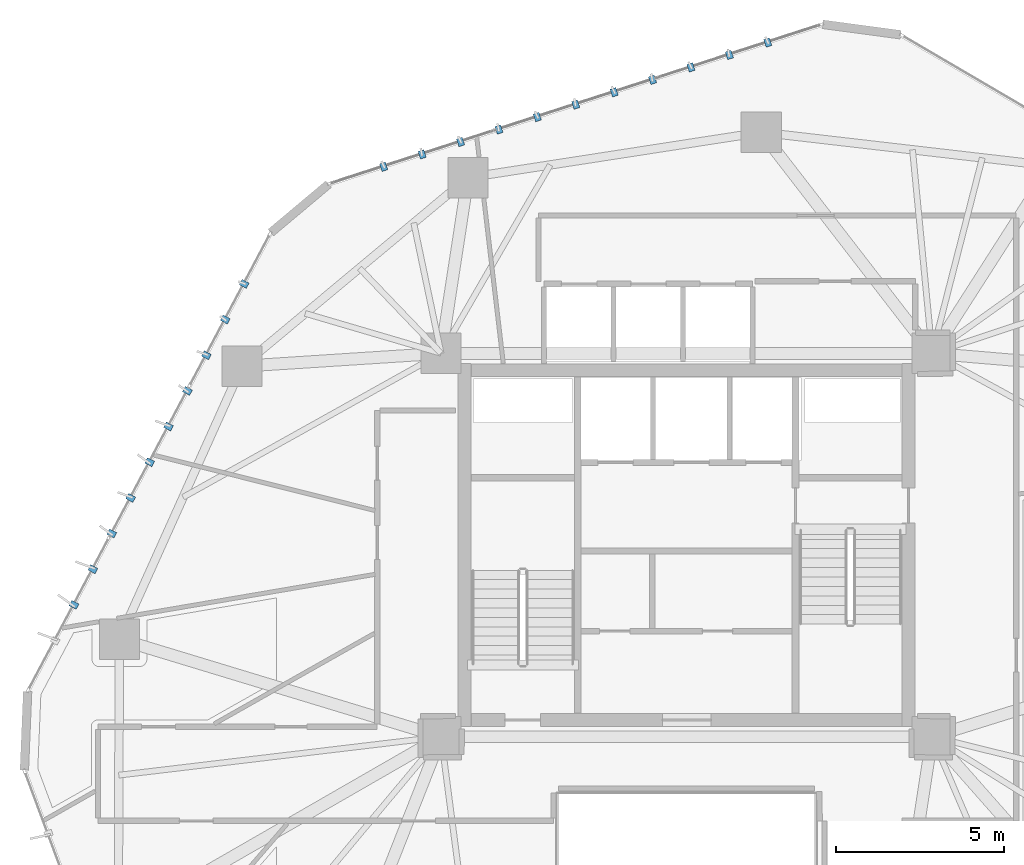
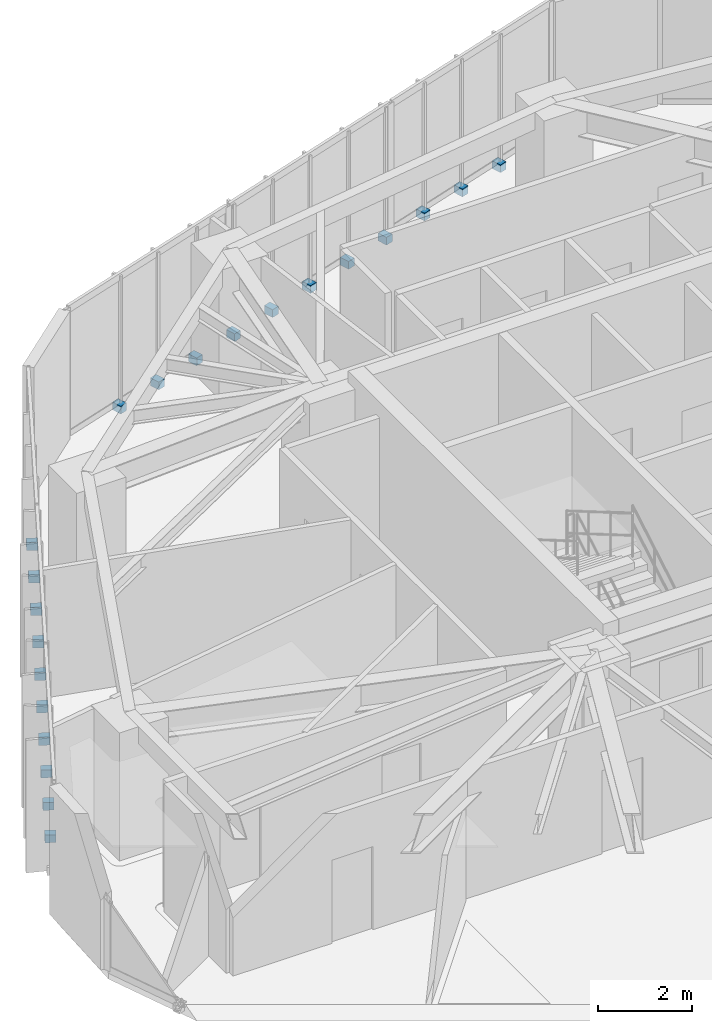
# One storey, part 18 of 21: 21 discrete accessories.
"""IFC4 building model written with IfcOpenShell, lengths in metres."""

from ifc_helpers import new_model, si_unit, direction, frame, origin, origin_2d, place, context, subcontext, project, spatial, rectangle, extrude, source, transform, mapped, material, type_object, type_shapes, element, save


model = new_model("IFC4")

# Units and contexts
model_context = context("Model", 3, precision=1e-05, world=origin(), true_north=direction((0.0, 1.0)))
body_context = subcontext(model_context, "Body", "Model", "MODEL_VIEW")
ifc_project = project(units=[si_unit("LENGTHUNIT", "METRE"), si_unit("AREAUNIT", "SQUARE_METRE"), si_unit("VOLUMEUNIT", "CUBIC_METRE"), si_unit("PLANEANGLEUNIT", "RADIAN"), si_unit("MASSUNIT", "GRAM", prefix="KILO")], contexts=[model_context])

# Site, building, storey
site_placement = place(None, origin())
site = spatial("IfcSite", under=ifc_project, at=site_placement, CompositionType="ELEMENT")
building_placement = place(site_placement, origin())
building = spatial("IfcBuilding", under=site, at=building_placement, Name="Talar Marvaseh", CompositionType="ELEMENT")
storey_placement = place(building_placement, frame((0.0, 0.0, 143.39990234375)))
storey = spatial("IfcBuildingStorey", under=building, at=storey_placement, Name="L37", CompositionType="ELEMENT", Elevation=143.39990234375)

# Discrete accessories
ifc_material = material(Name="Stainless Steel Grade 316", Category="steel")
discrete_accessory_type = type_object("IfcDiscreteAccessoryType", Name="Stainless Slab-Edge Fin Mounting Bracket", PredefinedType="BRACKET", material=ifc_material)
shared_shape = source(origin(), body_context, "Body", "SweptSolid", [
    extrude(rectangle(XDim=0.239990234375, YDim=0.179931640625, at=origin_2d()), origin(), (0.0, 0.0, 1.0), 0.199951171875),
])
type_shapes(discrete_accessory_type, [shared_shape])
for number, where, z_axis, x_axis, name in (
    (1, (7.7861328125, 29.421875, -0.1796875), (0.0, 0.0, 1.0), (-0.883520501477, 0.468392488698, 0.0), "L37 Vertical Fin Slab-Edge Bracket"),
    (2, (8.348388671875, 30.482177734375, -0.1796875), (0.0, 0.0, 1.0), (-0.883520501477, 0.468392488698, 0.0), "L37 Vertical Fin Slab-Edge Bracket"),
    (3, (8.910400390625, 31.542236328125, -0.1796875), (0.0, 0.0, 1.0), (-0.883520501477, 0.468392488698, 0.0), "L37 Vertical Fin Slab-Edge Bracket"),
    (4, (9.472412109375, 32.6025390625, -0.1796875), (0.0, 0.0, 1.0), (-0.883520501477, 0.468392488698, 0.0), "L37 Vertical Fin Slab-Edge Bracket"),
    (5, (10.03466796875, 33.66259765625, -0.1796875), (0.0, 0.0, 1.0), (-0.883520501477, 0.468392488698, 0.0), "L37 Vertical Fin Slab-Edge Bracket"),
    (6, (10.5966796875, 34.722900390625, -0.1796875), (0.0, 0.0, 1.0), (-0.883520501477, 0.468392488698, 0.0), "L37 Vertical Fin Slab-Edge Bracket"),
    (7, (11.15869140625, 35.783203125, -0.1796875), (0.0, 0.0, 1.0), (-0.883520501477, 0.468392488698, 0.0), "L37 Vertical Fin Slab-Edge Bracket"),
    (8, (11.720947265625, 36.84326171875, -0.1796875), (0.0, 0.0, 1.0), (-0.883520501477, 0.468392488698, 0.0), "L37 Vertical Fin Slab-Edge Bracket"),
    (9, (12.282958984375, 37.903564453125, -0.1796875), (0.0, 0.0, 1.0), (-0.883520501477, 0.468392488698, 0.0), "L37 Vertical Fin Slab-Edge Bracket"),
    (10, (12.84521484375, 38.963623046875, -0.1796875), (0.0, 0.0, 1.0), (-0.883520501477, 0.468392488698, 0.0), "L37 Vertical Fin Slab-Edge Bracket"),
    (11, (16.994873046875, 42.445556640625, -0.1796875), (0.0, 0.0, 1.0), (-0.30785482931, 0.951433341896, 0.0), "L37 Vertical Fin Slab-Edge Bracket"),
    (12, (18.136474609375, 42.815185546875, -0.1796875), (0.0, 0.0, 1.0), (-0.30785482931, 0.951433341896, 0.0), "L37 Vertical Fin Slab-Edge Bracket"),
    (13, (19.2783203125, 43.1845703125, -0.1796875), (0.0, 0.0, 1.0), (-0.30785482931, 0.951433341896, 0.0), "L37 Vertical Fin Slab-Edge Bracket"),
    (14, (20.419921875, 43.553955078125, -0.1796875), (0.0, 0.0, 1.0), (-0.30785482931, 0.951433341896, 0.0), "L37 Vertical Fin Slab-Edge Bracket"),
    (15, (21.5615234375, 43.923583984375, -0.1796875), (0.0, 0.0, 1.0), (-0.30785482931, 0.951433341896, 0.0), "L37 Vertical Fin Slab-Edge Bracket"),
    (16, (22.703369140625, 44.29296875, -0.1796875), (0.0, 0.0, 1.0), (-0.30785482931, 0.951433341896, 0.0), "L37 Vertical Fin Slab-Edge Bracket"),
    (17, (23.844970703125, 44.662353515625, -0.1796875), (0.0, 0.0, 1.0), (-0.30785482931, 0.951433341896, 0.0), "L37 Vertical Fin Slab-Edge Bracket"),
    (18, (24.98681640625, 45.031982421875, -0.1796875), (0.0, 0.0, 1.0), (-0.30785482931, 0.951433341896, 0.0), "L37 Vertical Fin Slab-Edge Bracket"),
    (19, (26.12841796875, 45.4013671875, -0.1796875), (0.0, 0.0, 1.0), (-0.30785482931, 0.951433341896, 0.0), "L37 Vertical Fin Slab-Edge Bracket"),
    (20, (27.270263671875, 45.770751953125, -0.1796875), (0.0, 0.0, 1.0), (-0.30785482931, 0.951433341896, 0.0), "L37 Vertical Fin Slab-Edge Bracket"),
    (21, (28.411865234375, 46.140380859375, -0.1796875), (0.0, 0.0, 1.0), (-0.30785482931, 0.951433341896, 0.0), "L37 Vertical Fin Slab-Edge Bracket"),
):
    element("IfcDiscreteAccessory", number, at=place(storey_placement, frame(where, z_axis=z_axis, x_axis=x_axis)), inside=storey, type_object=discrete_accessory_type, Name=name, PredefinedType="BRACKET", context=body_context, shape_type="MappedRepresentation", body=[
        mapped(shared_shape, transform((0.0, 0.0, 0.0), x_axis=(1.0, 0.0, 0.0), y_axis=(0.0, 1.0, 0.0), z_axis=(0.0, 0.0, 1.0), scale=1.0)),
    ])

save(model, "model.ifc")
